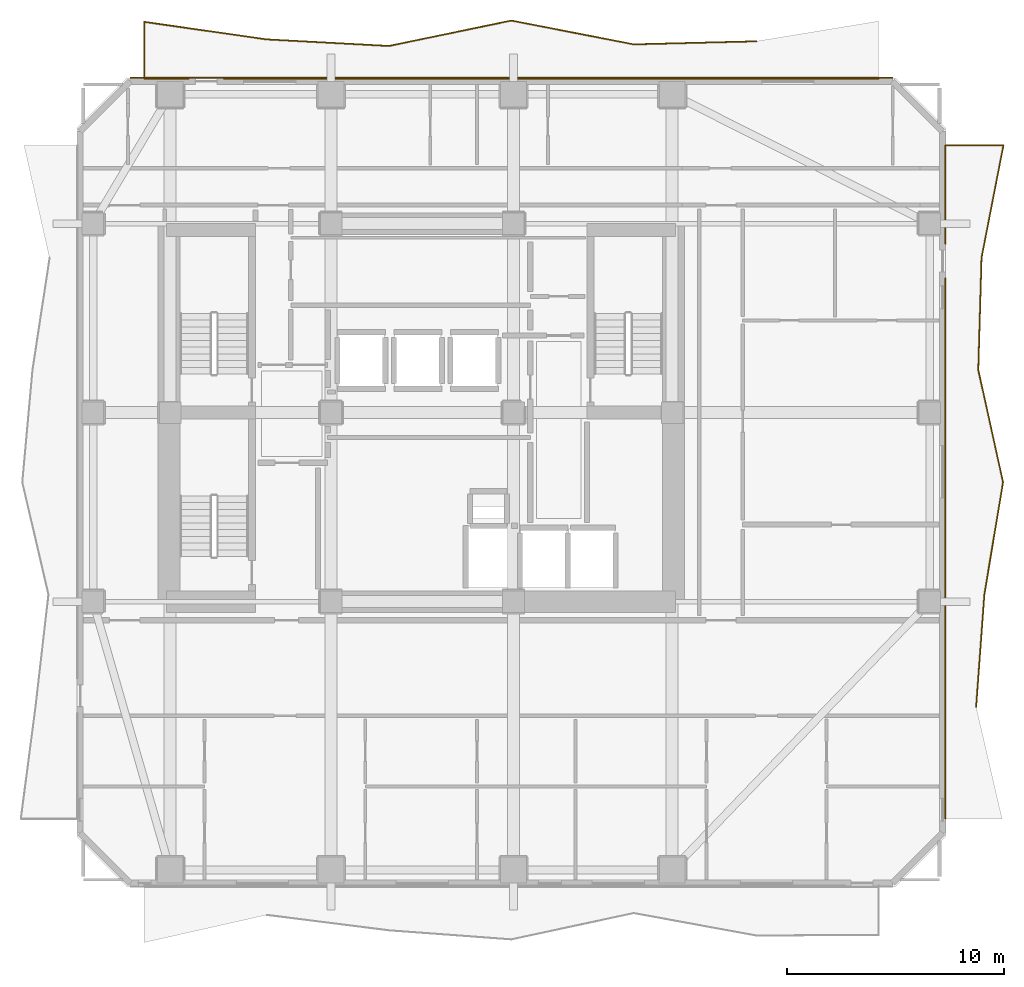
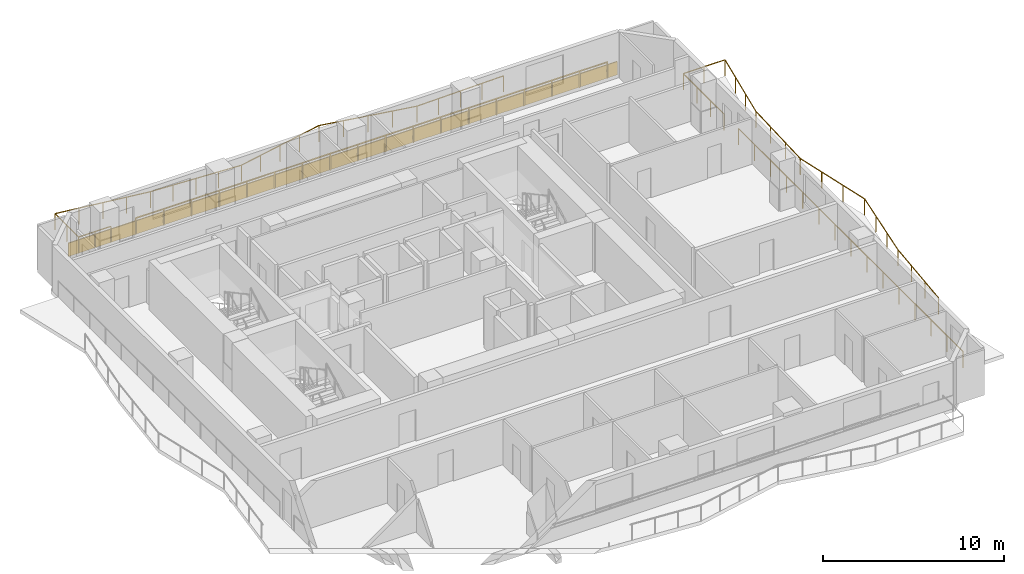
# One storey, part 9 of 9: 4 railings, 1 covering.
"""IFC4 building model written with IfcOpenShell, lengths in metres."""

from ifc_helpers import new_model, si_unit, direction, frame, frame_2d, origin, origin_2d, place, context, subcontext, project, spatial, rectangle, extrude, material, layer, layer_set, type_object, element, save


model = new_model("IFC4")

# Units and contexts
model_context = context("Model", 3, precision=1e-05, world=origin(), true_north=direction((0.0, 1.0)))
body_context = subcontext(model_context, "Body", "Model", "MODEL_VIEW")
ifc_project = project(units=[si_unit("LENGTHUNIT", "METRE"), si_unit("AREAUNIT", "SQUARE_METRE"), si_unit("VOLUMEUNIT", "CUBIC_METRE"), si_unit("PLANEANGLEUNIT", "RADIAN"), si_unit("MASSUNIT", "GRAM", prefix="KILO")], contexts=[model_context])

# Site, building, storey
site_placement = place(None, origin())
site = spatial("IfcSite", under=ifc_project, at=site_placement, CompositionType="ELEMENT")
building_placement = place(site_placement, origin())
building = spatial("IfcBuilding", under=site, at=building_placement, Name="Solanera Arch Residences", CompositionType="ELEMENT")
storey_placement = place(building_placement, frame((0.0, 0.0, 135.9599609375)))
storey = spatial("IfcBuildingStorey", under=building, at=storey_placement, Name="L39", CompositionType="ELEMENT", Elevation=135.9599609375)

# Railings
ifc_material_1 = material(Name="Steel S355 (ASTM A992 / A572 Grade 50)", Category="steel")
railing_type = type_object("IfcRailingType", Name="Balustrade Railing BL-1100", PredefinedType="BALUSTRADE", material=ifc_material_1)
railing_1_placement = place(storey_placement, frame((40.366943359375, 47.7939453125, 0.0)))
element("IfcRailing", 1, at=railing_1_placement, inside=storey, type_object=railing_type, Name="L39 N Balcony Balustrade 1", PredefinedType="BALUSTRADE", context=body_context, shape_type="SweptSolid", body=[
    extrude(rectangle(XDim=0.048095703125, YDim=0.048095703125, at=origin_2d()), frame((0.0, 0.0, 1.09619140625), z_axis=(-0.999687565229, -0.024995438104, 0.0), x_axis=(0.024995438104, -0.999687565229, 0.0)), (0.0, 0.0, 1.0), 5.6357421875),
    extrude(rectangle(XDim=0.048095703125, YDim=0.048095703125, at=origin_2d()), frame((-5.634033203125, -0.140869140625, 1.09619140625), z_axis=(-0.981625131303, 0.19081955244, 0.0), x_axis=(-0.19081955244, -0.981625131303, 0.0)), (0.0, 0.0, 1.0), 5.73828125),
    extrude(rectangle(XDim=0.048095703125, YDim=0.048095703125, at=origin_2d()), frame((-11.266845703125, 0.9541015625, 1.09619140625), z_axis=(-0.979140050425, -0.20318651937, 0.0), x_axis=(0.20318651937, -0.979140050425, 0.0)), (0.0, 0.0, 1.0), 5.753173828125),
    extrude(rectangle(XDim=0.048095703125, YDim=0.048095703125, at=origin_2d()), frame((-16.89990234375, -0.21484375, 1.09619140625), z_axis=(-0.998547877576, 0.053871478424, 0.0), x_axis=(-0.053871478424, -0.998547877576, 0.0)), (0.0, 0.0, 1.0), 5.642333984375),
    extrude(rectangle(XDim=0.048095703125, YDim=0.048095703125, at=origin_2d()), frame((-22.533935546875, 0.089111328125, 1.09619140625), z_axis=(-0.989920297985, 0.141625575506, 0.0), x_axis=(-0.141625575506, -0.989920297985, 0.0)), (0.0, 0.0, 1.0), 5.6904296875),
    extrude(rectangle(XDim=0.048095703125, YDim=0.048095703125, at=origin_2d()), frame((-28.1669921875, 0.89501953125, 1.09619140625), z_axis=(0.0, -1.0, 0.0), x_axis=(1.0, 0.0, 0.0)), (0.0, 0.0, 1.0), 2.60888671875),
    extrude(rectangle(XDim=0.048095703125, YDim=0.048095703125, at=origin_2d()), frame((-28.1669921875, -1.7138671875, 1.09619140625), z_axis=(1.0, 0.0, 0.0), x_axis=(0.0, 1.0, 0.0)), (0.0, 0.0, 1.0), 2.06396484375),
    extrude(rectangle(XDim=0.0419921875, YDim=0.0419921875, at=origin_2d()), origin(), (0.0, 0.0, 1.0), 1.072021484375),
    extrude(rectangle(XDim=0.0419921875, YDim=0.0419921875, at=origin_2d()), frame((-1.408447265625, -0.03515625, 0.0)), (0.0, 0.0, 1.0), 1.072021484375),
    extrude(rectangle(XDim=0.0419921875, YDim=0.0419921875, at=origin_2d()), frame((-2.81689453125, -0.0703125, 0.0)), (0.0, 0.0, 1.0), 1.072021484375),
    extrude(rectangle(XDim=0.0419921875, YDim=0.0419921875, at=origin_2d()), frame((-4.2255859375, -0.105712890625, 0.0)), (0.0, 0.0, 1.0), 1.072021484375),
    extrude(rectangle(XDim=0.0419921875, YDim=0.0419921875, at=origin_2d()), frame((-5.634033203125, -0.140869140625, 0.0)), (0.0, 0.0, 1.0), 1.072021484375),
    extrude(rectangle(XDim=0.0419921875, YDim=0.0419921875, at=origin_2d()), frame((-7.042236328125, 0.1328125, 0.0)), (0.0, 0.0, 1.0), 1.072021484375),
    extrude(rectangle(XDim=0.0419921875, YDim=0.0419921875, at=origin_2d()), frame((-8.450439453125, 0.40673828125, 0.0)), (0.0, 0.0, 1.0), 1.072021484375),
    extrude(rectangle(XDim=0.0419921875, YDim=0.0419921875, at=origin_2d()), frame((-9.858642578125, 0.680419921875, 0.0)), (0.0, 0.0, 1.0), 1.072021484375),
    extrude(rectangle(XDim=0.0419921875, YDim=0.0419921875, at=origin_2d()), frame((-11.266845703125, 0.9541015625, 0.0)), (0.0, 0.0, 1.0), 1.072021484375),
    extrude(rectangle(XDim=0.0419921875, YDim=0.0419921875, at=origin_2d()), frame((-12.675048828125, 0.661865234375, 0.0)), (0.0, 0.0, 1.0), 1.072021484375),
    extrude(rectangle(XDim=0.0419921875, YDim=0.0419921875, at=origin_2d()), frame((-14.08349609375, 0.36962890625, 0.0)), (0.0, 0.0, 1.0), 1.072021484375),
    extrude(rectangle(XDim=0.0419921875, YDim=0.0419921875, at=origin_2d()), frame((-15.49169921875, 0.077392578125, 0.0)), (0.0, 0.0, 1.0), 1.072021484375),
    extrude(rectangle(XDim=0.0419921875, YDim=0.0419921875, at=origin_2d()), frame((-16.89990234375, -0.21484375, 0.0)), (0.0, 0.0, 1.0), 1.072021484375),
    extrude(rectangle(XDim=0.0419921875, YDim=0.0419921875, at=origin_2d()), frame((-18.308349609375, -0.138916015625, 0.0)), (0.0, 0.0, 1.0), 1.072021484375),
    extrude(rectangle(XDim=0.0419921875, YDim=0.0419921875, at=origin_2d()), frame((-19.716796875, -0.06298828125, 0.0)), (0.0, 0.0, 1.0), 1.072021484375),
    extrude(rectangle(XDim=0.0419921875, YDim=0.0419921875, at=origin_2d()), frame((-21.12548828125, 0.01318359375, 0.0)), (0.0, 0.0, 1.0), 1.072021484375),
    extrude(rectangle(XDim=0.0419921875, YDim=0.0419921875, at=origin_2d()), frame((-22.533935546875, 0.089111328125, 0.0)), (0.0, 0.0, 1.0), 1.072021484375),
    extrude(rectangle(XDim=0.0419921875, YDim=0.0419921875, at=origin_2d()), frame((-23.942138671875, 0.29052734375, 0.0)), (0.0, 0.0, 1.0), 1.072021484375),
    extrude(rectangle(XDim=0.0419921875, YDim=0.0419921875, at=origin_2d()), frame((-25.3505859375, 0.4921875, 0.0)), (0.0, 0.0, 1.0), 1.072021484375),
    extrude(rectangle(XDim=0.0419921875, YDim=0.0419921875, at=origin_2d()), frame((-26.7587890625, 0.693603515625, 0.0)), (0.0, 0.0, 1.0), 1.072021484375),
    extrude(rectangle(XDim=0.0419921875, YDim=0.0419921875, at=origin_2d()), frame((-28.1669921875, 0.89501953125, 0.0)), (0.0, 0.0, 1.0), 1.072021484375),
    extrude(rectangle(XDim=0.0419921875, YDim=0.0419921875, at=origin_2d()), frame((-28.1669921875, -0.409423828125, 0.0)), (0.0, 0.0, 1.0), 1.072021484375),
    extrude(rectangle(XDim=0.0419921875, YDim=0.0419921875, at=origin_2d()), frame((-28.1669921875, -1.7138671875, 0.0)), (0.0, 0.0, 1.0), 1.072021484375),
    extrude(rectangle(XDim=0.0419921875, YDim=0.0419921875, at=origin_2d()), frame((-27.135009765625, -1.7138671875, 0.0)), (0.0, 0.0, 1.0), 1.072021484375),
    extrude(rectangle(XDim=0.0419921875, YDim=0.0419921875, at=origin_2d()), frame((-26.10302734375, -1.7138671875, 0.0)), (0.0, 0.0, 1.0), 1.072021484375),
])
railing_2_placement = place(storey_placement, frame((15.864013671875, 46.080078125, 0.0)))
element("IfcRailing", 2, at=railing_2_placement, inside=storey, type_object=railing_type, Name="L39 N Balcony Balustrade 2", PredefinedType="BALUSTRADE", context=body_context, shape_type="SweptSolid", body=[
    extrude(rectangle(XDim=0.048095703125, YDim=0.048095703125, at=origin_2d()), frame((0.0, 0.0, 1.09619140625), z_axis=(1.0, 0.0, 0.0), x_axis=(0.0, 1.0, 0.0)), (0.0, 0.0, 1.0), 30.135986328125),
    extrude(rectangle(XDim=0.0419921875, YDim=0.0419921875, at=origin_2d()), origin(), (0.0, 0.0, 1.0), 1.072021484375),
    extrude(rectangle(XDim=0.0419921875, YDim=0.0419921875, at=origin_2d()), frame((1.772705078125, 0.0, 0.0)), (0.0, 0.0, 1.0), 1.072021484375),
    extrude(rectangle(XDim=0.0419921875, YDim=0.0419921875, at=origin_2d()), frame((3.54541015625, 0.0, 0.0)), (0.0, 0.0, 1.0), 1.072021484375),
    extrude(rectangle(XDim=0.0419921875, YDim=0.0419921875, at=origin_2d()), frame((5.318115234375, 0.0, 0.0)), (0.0, 0.0, 1.0), 1.072021484375),
    extrude(rectangle(XDim=0.0419921875, YDim=0.0419921875, at=origin_2d()), frame((7.0908203125, 0.0, 0.0)), (0.0, 0.0, 1.0), 1.072021484375),
    extrude(rectangle(XDim=0.0419921875, YDim=0.0419921875, at=origin_2d()), frame((8.863525390625, 0.0, 0.0)), (0.0, 0.0, 1.0), 1.072021484375),
    extrude(rectangle(XDim=0.0419921875, YDim=0.0419921875, at=origin_2d()), frame((10.63623046875, 0.0, 0.0)), (0.0, 0.0, 1.0), 1.072021484375),
    extrude(rectangle(XDim=0.0419921875, YDim=0.0419921875, at=origin_2d()), frame((12.408935546875, 0.0, 0.0)), (0.0, 0.0, 1.0), 1.072021484375),
    extrude(rectangle(XDim=0.0419921875, YDim=0.0419921875, at=origin_2d()), frame((14.181640625, 0.0, 0.0)), (0.0, 0.0, 1.0), 1.072021484375),
    extrude(rectangle(XDim=0.0419921875, YDim=0.0419921875, at=origin_2d()), frame((15.954345703125, 0.0, 0.0)), (0.0, 0.0, 1.0), 1.072021484375),
    extrude(rectangle(XDim=0.0419921875, YDim=0.0419921875, at=origin_2d()), frame((17.72705078125, 0.0, 0.0)), (0.0, 0.0, 1.0), 1.072021484375),
    extrude(rectangle(XDim=0.0419921875, YDim=0.0419921875, at=origin_2d()), frame((19.499755859375, 0.0, 0.0)), (0.0, 0.0, 1.0), 1.072021484375),
    extrude(rectangle(XDim=0.0419921875, YDim=0.0419921875, at=origin_2d()), frame((21.2724609375, 0.0, 0.0)), (0.0, 0.0, 1.0), 1.072021484375),
    extrude(rectangle(XDim=0.0419921875, YDim=0.0419921875, at=origin_2d()), frame((23.045166015625, 0.0, 0.0)), (0.0, 0.0, 1.0), 1.072021484375),
    extrude(rectangle(XDim=0.0419921875, YDim=0.0419921875, at=origin_2d()), frame((24.81787109375, 0.0, 0.0)), (0.0, 0.0, 1.0), 1.072021484375),
    extrude(rectangle(XDim=0.0419921875, YDim=0.0419921875, at=origin_2d()), frame((26.590576171875, 0.0, 0.0)), (0.0, 0.0, 1.0), 1.072021484375),
    extrude(rectangle(XDim=0.0419921875, YDim=0.0419921875, at=origin_2d()), frame((28.36328125, 0.0, 0.0)), (0.0, 0.0, 1.0), 1.072021484375),
    extrude(rectangle(XDim=0.0419921875, YDim=0.0419921875, at=origin_2d()), frame((30.135986328125, 0.0, 0.0)), (0.0, 0.0, 1.0), 1.072021484375),
])
railing_3_placement = place(storey_placement, frame((50.493896484375, 17.1669921875, 0.0)))
element("IfcRailing", 3, at=railing_3_placement, inside=storey, type_object=railing_type, Name="L39 E Balcony Balustrade 1", PredefinedType="BALUSTRADE", context=body_context, shape_type="SweptSolid", body=[
    extrude(rectangle(XDim=0.048095703125, YDim=0.048095703125, at=origin_2d()), frame((0.0, 0.0, 1.09619140625), z_axis=(0.073383836115, 0.997303771474, 0.0), x_axis=(-0.997303771474, 0.073383836115, 0.0)), (0.0, 0.0, 1.0), 5.179931640625),
    extrude(rectangle(XDim=0.048095703125, YDim=0.048095703125, at=origin_2d()), frame((0.380126953125, 5.166015625, 1.09619140625), z_axis=(0.16379426133, 0.986494520996, 0.0), x_axis=(-0.986494520996, 0.16379426133, 0.0)), (0.0, 0.0, 1.0), 5.23779296875),
    extrude(rectangle(XDim=0.048095703125, YDim=0.048095703125, at=origin_2d()), frame((1.238037109375, 10.3330078125, 1.09619140625), z_axis=(-0.215254354327, 0.976558018217, 0.0), x_axis=(-0.976558018217, -0.215254354327, 0.0)), (0.0, 0.0, 1.0), 5.291015625),
    extrude(rectangle(XDim=0.048095703125, YDim=0.048095703125, at=origin_2d()), frame((0.09912109375, 15.5, 1.09619140625), z_axis=(0.029004804967, 0.999579272138, 0.0), x_axis=(-0.999579272138, 0.029004804967, 0.0)), (0.0, 0.0, 1.0), 5.168212890625),
    extrude(rectangle(XDim=0.048095703125, YDim=0.048095703125, at=origin_2d()), frame((0.2490234375, 20.666015625, 1.09619140625), z_axis=(0.191306587283, 0.981530330485, 0.0), x_axis=(-0.981530330485, 0.191306587283, 0.0)), (0.0, 0.0, 1.0), 5.26416015625),
    extrude(rectangle(XDim=0.048095703125, YDim=0.048095703125, at=origin_2d()), frame((1.256103515625, 25.8330078125, 1.09619140625), z_axis=(-1.0, 0.0, 0.0), x_axis=(0.0, -1.0, 0.0)), (0.0, 0.0, 1.0), 2.669921875),
    extrude(rectangle(XDim=0.048095703125, YDim=0.048095703125, at=origin_2d()), frame((-1.413818359375, 25.8330078125, 1.09619140625), z_axis=(0.0, -1.0, 0.0), x_axis=(1.0, 0.0, 0.0)), (0.0, 0.0, 1.0), 4.52197265625),
    extrude(rectangle(XDim=0.0419921875, YDim=0.0419921875, at=origin_2d()), origin(), (0.0, 0.0, 1.0), 1.072021484375),
    extrude(rectangle(XDim=0.0419921875, YDim=0.0419921875, at=origin_2d()), frame((0.126708984375, 1.721923828125, 0.0)), (0.0, 0.0, 1.0), 1.072021484375),
    extrude(rectangle(XDim=0.0419921875, YDim=0.0419921875, at=origin_2d()), frame((0.25341796875, 3.444091796875, 0.0)), (0.0, 0.0, 1.0), 1.072021484375),
    extrude(rectangle(XDim=0.0419921875, YDim=0.0419921875, at=origin_2d()), frame((0.380126953125, 5.166015625, 0.0)), (0.0, 0.0, 1.0), 1.072021484375),
    extrude(rectangle(XDim=0.0419921875, YDim=0.0419921875, at=origin_2d()), frame((0.666015625, 6.888427734375, 0.0)), (0.0, 0.0, 1.0), 1.072021484375),
    extrude(rectangle(XDim=0.0419921875, YDim=0.0419921875, at=origin_2d()), frame((0.9521484375, 8.610595703125, 0.0)), (0.0, 0.0, 1.0), 1.072021484375),
    extrude(rectangle(XDim=0.0419921875, YDim=0.0419921875, at=origin_2d()), frame((1.238037109375, 10.3330078125, 0.0)), (0.0, 0.0, 1.0), 1.072021484375),
    extrude(rectangle(XDim=0.0419921875, YDim=0.0419921875, at=origin_2d()), frame((0.8583984375, 12.055419921875, 0.0)), (0.0, 0.0, 1.0), 1.072021484375),
    extrude(rectangle(XDim=0.0419921875, YDim=0.0419921875, at=origin_2d()), frame((0.478759765625, 13.777587890625, 0.0)), (0.0, 0.0, 1.0), 1.072021484375),
    extrude(rectangle(XDim=0.0419921875, YDim=0.0419921875, at=origin_2d()), frame((0.09912109375, 15.5, 0.0)), (0.0, 0.0, 1.0), 1.072021484375),
    extrude(rectangle(XDim=0.0419921875, YDim=0.0419921875, at=origin_2d()), frame((0.149169921875, 17.221923828125, 0.0)), (0.0, 0.0, 1.0), 1.072021484375),
    extrude(rectangle(XDim=0.0419921875, YDim=0.0419921875, at=origin_2d()), frame((0.198974609375, 18.944091796875, 0.0)), (0.0, 0.0, 1.0), 1.072021484375),
    extrude(rectangle(XDim=0.0419921875, YDim=0.0419921875, at=origin_2d()), frame((0.2490234375, 20.666015625, 0.0)), (0.0, 0.0, 1.0), 1.072021484375),
    extrude(rectangle(XDim=0.0419921875, YDim=0.0419921875, at=origin_2d()), frame((0.584716796875, 22.388427734375, 0.0)), (0.0, 0.0, 1.0), 1.072021484375),
    extrude(rectangle(XDim=0.0419921875, YDim=0.0419921875, at=origin_2d()), frame((0.92041015625, 24.110595703125, 0.0)), (0.0, 0.0, 1.0), 1.072021484375),
    extrude(rectangle(XDim=0.0419921875, YDim=0.0419921875, at=origin_2d()), frame((1.256103515625, 25.8330078125, 0.0)), (0.0, 0.0, 1.0), 1.072021484375),
    extrude(rectangle(XDim=0.0419921875, YDim=0.0419921875, at=origin_2d()), frame((-0.078857421875, 25.8330078125, 0.0)), (0.0, 0.0, 1.0), 1.072021484375),
    extrude(rectangle(XDim=0.0419921875, YDim=0.0419921875, at=origin_2d()), frame((-1.413818359375, 25.8330078125, 0.0)), (0.0, 0.0, 1.0), 1.072021484375),
    extrude(rectangle(XDim=0.0419921875, YDim=0.0419921875, at=origin_2d()), frame((-1.413818359375, 24.32568359375, 0.0)), (0.0, 0.0, 1.0), 1.072021484375),
    extrude(rectangle(XDim=0.0419921875, YDim=0.0419921875, at=origin_2d()), frame((-1.413818359375, 22.818359375, 0.0)), (0.0, 0.0, 1.0), 1.072021484375),
    extrude(rectangle(XDim=0.0419921875, YDim=0.0419921875, at=origin_2d()), frame((-1.413818359375, 21.31103515625, 0.0)), (0.0, 0.0, 1.0), 1.072021484375),
])
railing_4_placement = place(storey_placement, frame((49.080078125, 36.8779296875, 0.0)))
element("IfcRailing", 4, at=railing_4_placement, inside=storey, type_object=railing_type, Name="L39 E Balcony Balustrade 2", PredefinedType="BALUSTRADE", context=body_context, shape_type="SweptSolid", body=[
    extrude(rectangle(XDim=0.048095703125, YDim=0.048095703125, at=origin_2d()), frame((0.0, 0.0, 1.09619140625), z_axis=(0.0, -1.0, 0.0), x_axis=(1.0, 0.0, 0.0)), (0.0, 0.0, 1.0), 24.8779296875),
    extrude(rectangle(XDim=0.0419921875, YDim=0.0419921875, at=origin_2d()), origin(), (0.0, 0.0, 1.0), 1.072021484375),
    extrude(rectangle(XDim=0.0419921875, YDim=0.0419921875, at=origin_2d()), frame((0.0, -1.777099609375, 0.0)), (0.0, 0.0, 1.0), 1.072021484375),
    extrude(rectangle(XDim=0.0419921875, YDim=0.0419921875, at=origin_2d()), frame((0.0, -3.553955078125, 0.0)), (0.0, 0.0, 1.0), 1.072021484375),
    extrude(rectangle(XDim=0.0419921875, YDim=0.0419921875, at=origin_2d()), frame((0.0, -5.3310546875, 0.0)), (0.0, 0.0, 1.0), 1.072021484375),
    extrude(rectangle(XDim=0.0419921875, YDim=0.0419921875, at=origin_2d()), frame((0.0, -7.10791015625, 0.0)), (0.0, 0.0, 1.0), 1.072021484375),
    extrude(rectangle(XDim=0.0419921875, YDim=0.0419921875, at=origin_2d()), frame((0.0, -8.885009765625, 0.0)), (0.0, 0.0, 1.0), 1.072021484375),
    extrude(rectangle(XDim=0.0419921875, YDim=0.0419921875, at=origin_2d()), frame((0.0, -10.661865234375, 0.0)), (0.0, 0.0, 1.0), 1.072021484375),
    extrude(rectangle(XDim=0.0419921875, YDim=0.0419921875, at=origin_2d()), frame((0.0, -12.43896484375, 0.0)), (0.0, 0.0, 1.0), 1.072021484375),
    extrude(rectangle(XDim=0.0419921875, YDim=0.0419921875, at=origin_2d()), frame((0.0, -14.216064453125, 0.0)), (0.0, 0.0, 1.0), 1.072021484375),
    extrude(rectangle(XDim=0.0419921875, YDim=0.0419921875, at=origin_2d()), frame((0.0, -15.992919921875, 0.0)), (0.0, 0.0, 1.0), 1.072021484375),
    extrude(rectangle(XDim=0.0419921875, YDim=0.0419921875, at=origin_2d()), frame((0.0, -17.77001953125, 0.0)), (0.0, 0.0, 1.0), 1.072021484375),
    extrude(rectangle(XDim=0.0419921875, YDim=0.0419921875, at=origin_2d()), frame((0.0, -19.546875, 0.0)), (0.0, 0.0, 1.0), 1.072021484375),
    extrude(rectangle(XDim=0.0419921875, YDim=0.0419921875, at=origin_2d()), frame((0.0, -21.323974609375, 0.0)), (0.0, 0.0, 1.0), 1.072021484375),
    extrude(rectangle(XDim=0.0419921875, YDim=0.0419921875, at=origin_2d()), frame((0.0, -23.100830078125, 0.0)), (0.0, 0.0, 1.0), 1.072021484375),
    extrude(rectangle(XDim=0.0419921875, YDim=0.0419921875, at=origin_2d()), frame((0.0, -24.8779296875, 0.0)), (0.0, 0.0, 1.0), 1.072021484375),
])

# Covering
ifc_material_2 = material(Name="Philippine Adobe Travertine Cladding", Category="masonry")
ifc_layer = layer(ifc_material_2, 0.06005859375)
ifc_layer_set = layer_set([ifc_layer], Name="Philippine Adobe Travertine Cladding")
covering_type = type_object("IfcCoveringType", Name="Precast Pier Stone Cladding CLD-60", PredefinedType="CLADDING", material=ifc_layer_set)
covering_placement = place(storey_placement, frame((11.554931640625, 46.114990234375, 0.0), z_axis=(0.0, 0.0, 1.0), x_axis=(1.0, 0.0, 0.0)))
element("IfcCovering", 5, at=covering_placement, inside=storey, type_object=covering_type, Name="L39 N Precast Spandrel Stone Band", PredefinedType="CLADDING", context=body_context, shape_type="SweptSolid", body=[
    extrude(rectangle(XDim=35.090087890625, YDim=0.06005859375, at=frame_2d((17.544921875, 0.0))), origin(), (0.0, 0.0, 1.0), 0.900146484375),
])

save(model, "model.ifc")
